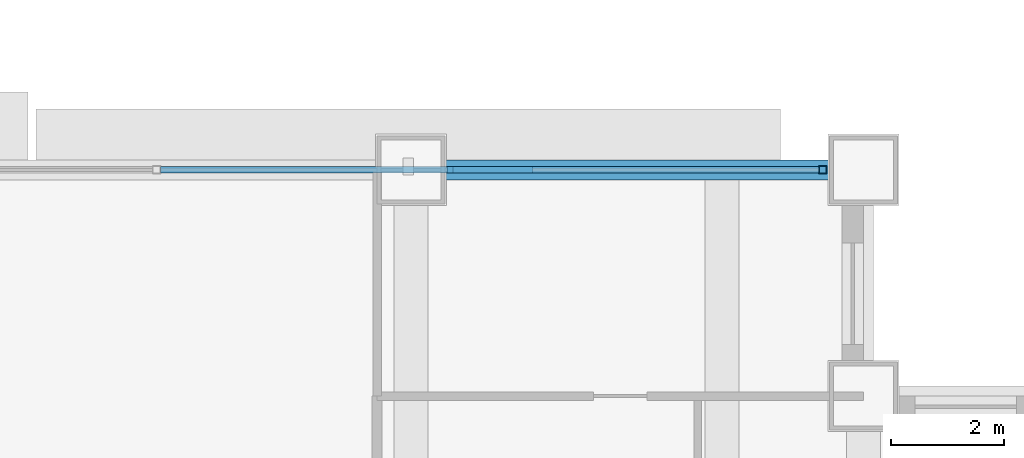
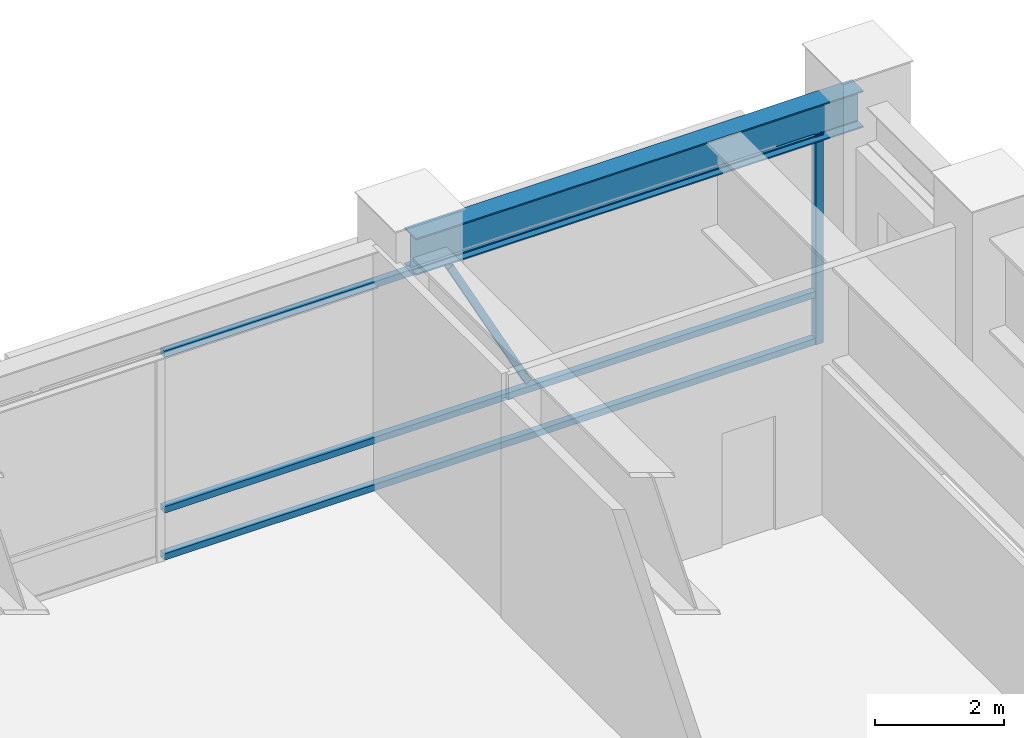
# One storey, part 22 of 34: 5 members, 1 beam, 1 element without a shape of its own.
"""IFC4 building model written with IfcOpenShell, lengths in metres."""

from ifc_helpers import new_model, si_unit, direction, frame, origin, origin_2d, place, context, subcontext, project, spatial, hollow_rectangle, i_section, extrude, source, transform, mapped, material, material_profile, profile_set, type_object, element, aggregate, save


model = new_model("IFC4")

# Units and contexts
model_context = context("Model", 3, precision=1e-05, world=origin(), true_north=direction((0.0, 1.0)))
body_context = subcontext(model_context, "Body", "Model", "MODEL_VIEW")
ifc_project = project(units=[si_unit("LENGTHUNIT", "METRE"), si_unit("AREAUNIT", "SQUARE_METRE"), si_unit("VOLUMEUNIT", "CUBIC_METRE"), si_unit("PLANEANGLEUNIT", "RADIAN"), si_unit("MASSUNIT", "GRAM", prefix="KILO")], contexts=[model_context])

# Site, building, storey
site_placement = place(None, origin())
site = spatial("IfcSite", under=ifc_project, at=site_placement, CompositionType="ELEMENT")
building_placement = place(site_placement, origin())
building = spatial("IfcBuilding", under=site, at=building_placement, Name="Khorayat Bourse Tower", CompositionType="ELEMENT")
storey_placement = place(building_placement, frame((0.0, 0.0, 144.699951171875)))
storey = spatial("IfcBuildingStorey", under=building, at=storey_placement, Name="L33", CompositionType="ELEMENT", Elevation=144.699951171875)

# Beam
ifc_material_1 = material(Name="Steel ASTM A992 Grade 50", Category="steel")
ifc_material_profile_1 = material_profile(ifc_material_1, i_section(OverallWidth=0.35498046875, OverallDepth=0.695068359375, WebThickness=0.015380859375, FlangeThickness=0.02490234375, FilletRadius=0.01806640625, at=origin_2d()), Name="W690X217")
ifc_profile_set_1 = profile_set([ifc_material_profile_1], Name="Steel ASTM A992 Grade 50")
beam_type = type_object("IfcBeamType", Name="BM-SPAN-690", PredefinedType="SPANDREL", material=ifc_profile_set_1)
shared_shape_1 = source(origin(), body_context, "Body", "SweptSolid", [
    extrude(i_section(OverallWidth=0.35498046875, OverallDepth=0.695068359375, WebThickness=0.015380859375, FlangeThickness=0.02490234375, FilletRadius=0.01806640625, at=origin_2d()), origin(), (0.0, 0.0, 1.0), 8.0),
])
beam_placement = place(storey_placement, frame((20.0, 32.0, 4.25244140625), z_axis=(1.0, 0.0, 0.0), x_axis=(0.0, 1.0, 0.0)))
element("IfcBeam", 1, at=beam_placement, inside=storey, type_object=beam_type, Name="L33 BM-SPAN-690 BM-L33-SPN-044", PredefinedType="SPANDREL", context=body_context, shape_type="MappedRepresentation", body=[
    mapped(shared_shape_1, transform((0.0, 0.0, 0.0), scale=1.0)),
])

# Curtain wall, members
ifc_material_2 = material(Name="Aluminium EN AW-6063 T6", Category="aluminium")
curtain_wall_type = type_object("IfcCurtainWallType", Name="CW-SYS-05", PredefinedType="NOTDEFINED", material=ifc_material_2)
curtain_wall_placement = place(storey_placement, origin())
curtain_wall = element("IfcCurtainWall", 2, at=curtain_wall_placement, inside=storey, type_object=curtain_wall_type, Name="L33 Curtain Wall CW-L33-N2", PredefinedType="NOTDEFINED")
ifc_material_profile_2 = material_profile(ifc_material_2, hollow_rectangle(XDim=0.139892578125, YDim=0.139892578125, WallThickness=0.006103515625, at=origin_2d()), Name="ALU 140x140x6")
ifc_profile_set_2 = profile_set([ifc_material_profile_2], Name="Aluminium EN AW-6063 T6")
member_type_1 = type_object("IfcMemberType", Name="CWM-VERT-140", PredefinedType="MULLION", material=ifc_profile_set_2)
shared_shape_2 = source(origin(), body_context, "Body", "SweptSolid", [
    extrude(hollow_rectangle(XDim=0.139892578125, YDim=0.139892578125, WallThickness=0.006103515625, at=origin_2d()), origin(), (0.0, 0.0, 1.0), 3.949951171875),
])
member_1_placement = place(storey_placement, frame((27.280029296875, 32.0, 0.0), z_axis=(0.0, 0.0, 1.0), x_axis=(0.0, 1.0, 0.0)))
member_1 = element("IfcMember", 3, at=member_1_placement, type_object=member_type_1, Name="CW-L33-N2 Vertical Mullion 3", PredefinedType="MULLION", context=body_context, shape_type="MappedRepresentation", body=[
    mapped(shared_shape_2, transform((0.0, 0.0, 0.0), scale=1.0)),
])
ifc_material_profile_3 = material_profile(ifc_material_2, hollow_rectangle(XDim=0.1201171875, YDim=0.1201171875, WallThickness=0.0048828125, at=origin_2d()), Name="ALU 120x120x5")
ifc_profile_set_3 = profile_set([ifc_material_profile_3], Name="Aluminium EN AW-6063 T6")
member_type_2 = type_object("IfcMemberType", Name="CWM-DIAG-120", PredefinedType="MULLION", material=ifc_profile_set_3)
shared_shape_3 = source(origin(), body_context, "Body", "SweptSolid", [
    extrude(hollow_rectangle(XDim=0.1201171875, YDim=0.1201171875, WallThickness=0.0048828125, at=origin_2d()), origin(), (0.0, 0.0, 1.0), 3.005859375),
])
member_2_placement = place(storey_placement, frame((22.090087890625, 32.0, 1.090087890625), z_axis=(-0.465796644007, 0.0, 0.884891793629), x_axis=(0.0, -1.0, 0.0)))
member_2 = element("IfcMember", 4, at=member_2_placement, type_object=member_type_2, Name="CW-L33-N2 Faceted Diagonal Mullion 2", PredefinedType="MULLION", context=body_context, shape_type="MappedRepresentation", body=[
    mapped(shared_shape_3, transform((0.0, 0.0, 0.0), scale=1.0)),
])
ifc_material_profile_4 = material_profile(ifc_material_2, hollow_rectangle(XDim=0.1201171875, YDim=0.1201171875, WallThickness=0.0048828125, at=origin_2d()), Name="ALU 120x120x5")
ifc_profile_set_4 = profile_set([ifc_material_profile_4], Name="Aluminium EN AW-6063 T6")
member_type_3 = type_object("IfcMemberType", Name="CWT-HORZ-120", PredefinedType="USERDEFINED", material=ifc_profile_set_4)
shared_shape_4 = source(origin(), body_context, "Body", "SweptSolid", [
    extrude(hollow_rectangle(XDim=0.1201171875, YDim=0.1201171875, WallThickness=0.0048828125, at=origin_2d()), origin(), (0.0, 0.0, 1.0), 11.639892578125),
])
member_3_placement = place(storey_placement, frame((15.570068359375, 32.0, 0.06005859375), z_axis=(1.0, 0.0, 0.0), x_axis=(0.0, 1.0, 0.0)))
member_3 = element("IfcMember", 5, at=member_3_placement, type_object=member_type_3, Name="CW-L33-N2 Horizontal Transom 2-1", ObjectType="TRANSOM", PredefinedType="USERDEFINED", context=body_context, shape_type="MappedRepresentation", body=[
    mapped(shared_shape_4, transform((0.0, 0.0, 0.0), scale=1.0)),
])
member_4_placement = place(storey_placement, frame((15.570068359375, 32.0, 0.949951171875), z_axis=(1.0, 0.0, 0.0), x_axis=(0.0, 1.0, 0.0)))
member_4 = element("IfcMember", 6, at=member_4_placement, type_object=member_type_3, Name="CW-L33-N2 Horizontal Transom 2-2", ObjectType="TRANSOM", PredefinedType="USERDEFINED", context=body_context, shape_type="MappedRepresentation", body=[
    mapped(shared_shape_4, transform((0.0, 0.0, 0.0), scale=1.0)),
])
member_5_placement = place(storey_placement, frame((15.570068359375, 32.0, 3.89013671875), z_axis=(1.0, 0.0, 0.0), x_axis=(0.0, 1.0, 0.0)))
member_5 = element("IfcMember", 7, at=member_5_placement, type_object=member_type_3, Name="CW-L33-N2 Horizontal Transom 2-3", ObjectType="TRANSOM", PredefinedType="USERDEFINED", context=body_context, shape_type="MappedRepresentation", body=[
    mapped(shared_shape_4, transform((0.0, 0.0, 0.0), scale=1.0)),
])
aggregate(curtain_wall, [member_1, member_3, member_4, member_5, member_2])

save(model, "model.ifc")
